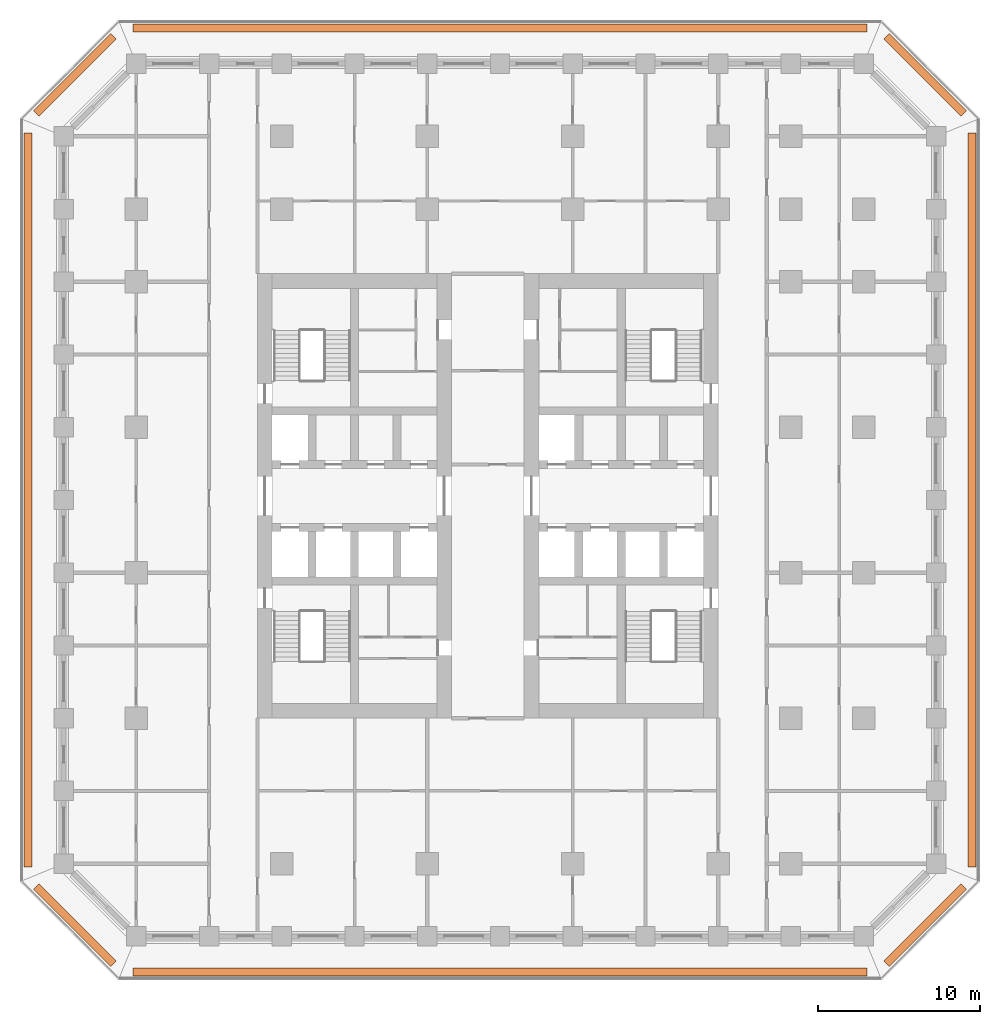
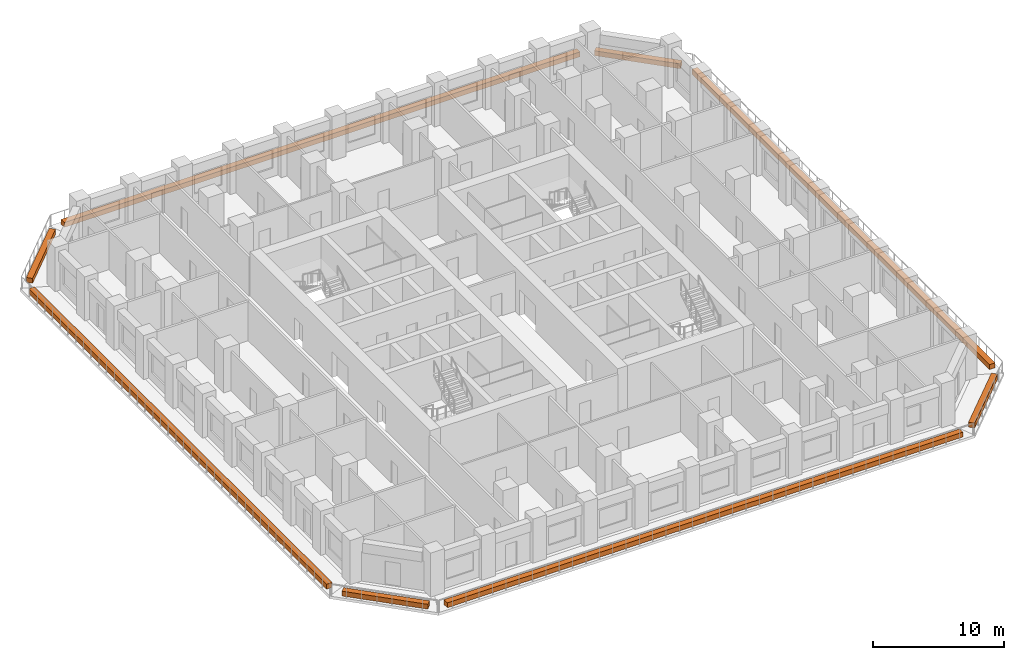
# One storey, part 18 of 18: 8 proxies.
"""IFC4 building model written with IfcOpenShell, lengths in metres."""

from ifc_helpers import new_model, si_unit, direction, frame, origin, origin_2d, place, context, subcontext, project, spatial, rectangle, extrude, material, type_object, element, save


model = new_model("IFC4")

# Units and contexts
model_context = context("Model", 3, precision=1e-05, world=origin(), true_north=direction((0.0, 1.0)))
body_context = subcontext(model_context, "Body", "Model", "MODEL_VIEW")
ifc_project = project(units=[si_unit("LENGTHUNIT", "METRE"), si_unit("AREAUNIT", "SQUARE_METRE"), si_unit("VOLUMEUNIT", "CUBIC_METRE"), si_unit("PLANEANGLEUNIT", "RADIAN"), si_unit("MASSUNIT", "GRAM", prefix="KILO")], contexts=[model_context])

# Site, building, storey
site_placement = place(None, origin())
site = spatial("IfcSite", under=ifc_project, at=site_placement, CompositionType="ELEMENT")
building_placement = place(site_placement, origin())
building = spatial("IfcBuilding", under=site, at=building_placement, Name="Corbel Stack Research Tower", CompositionType="ELEMENT")
storey_placement = place(building_placement, frame((0.0, 0.0, 102.5)))
storey = spatial("IfcBuildingStorey", under=building, at=storey_placement, Name="L23", CompositionType="ELEMENT", Elevation=102.5)

# Proxies
ifc_material = material(Name="Concrete C45/55", Category="concrete")
building_element_proxy_type = type_object("IfcBuildingElementProxyType", Name="Planter box", PredefinedType="USERDEFINED", material=ifc_material)
proxy_1_placement = place(storey_placement, frame((4.5, -24.699951171875, 0.0), z_axis=(0.0, 0.0, 1.0), x_axis=(1.0, 0.0, 0.0)))
element("IfcBuildingElementProxy", 1, at=proxy_1_placement, inside=storey, type_object=building_element_proxy_type, Name="Planter L23 S", ObjectType="PLANTER", PredefinedType="USERDEFINED", context=body_context, shape_type="SweptSolid", body=[
    extrude(rectangle(XDim=45.41064453125, YDim=0.5, at=origin_2d()), origin(), (0.0, 0.0, 1.0), 0.449951171875),
])
proxy_2_placement = place(storey_placement, frame((30.8056640625, -21.8056640625, 0.0), z_axis=(0.0, 0.0, 1.0), x_axis=(0.707106781187, 0.707106781187, 0.0)))
element("IfcBuildingElementProxy", 2, at=proxy_2_placement, inside=storey, type_object=building_element_proxy_type, Name="Planter L23 SE", ObjectType="PLANTER", PredefinedType="USERDEFINED", context=body_context, shape_type="SweptSolid", body=[
    extrude(rectangle(XDim=6.774658203125, YDim=0.5, at=origin_2d()), origin(), (0.0, 0.0, 1.0), 0.449951171875),
])
proxy_3_placement = place(storey_placement, frame((33.699951171875, 4.5, 0.0), z_axis=(0.0, 0.0, 1.0), x_axis=(0.0, 1.0, 0.0)))
element("IfcBuildingElementProxy", 3, at=proxy_3_placement, inside=storey, type_object=building_element_proxy_type, Name="Planter L23 E", ObjectType="PLANTER", PredefinedType="USERDEFINED", context=body_context, shape_type="SweptSolid", body=[
    extrude(rectangle(XDim=45.41064453125, YDim=0.5, at=origin_2d()), origin(), (0.0, 0.0, 1.0), 0.449951171875),
])
proxy_4_placement = place(storey_placement, frame((30.8056640625, 30.8056640625, 0.0), z_axis=(0.0, 0.0, 1.0), x_axis=(-0.707106781187, 0.707106781187, 0.0)))
element("IfcBuildingElementProxy", 4, at=proxy_4_placement, inside=storey, type_object=building_element_proxy_type, Name="Planter L23 NE", ObjectType="PLANTER", PredefinedType="USERDEFINED", context=body_context, shape_type="SweptSolid", body=[
    extrude(rectangle(XDim=6.774658203125, YDim=0.5, at=origin_2d()), origin(), (0.0, 0.0, 1.0), 0.449951171875),
])
proxy_5_placement = place(storey_placement, frame((4.5, 33.699951171875, 0.0), z_axis=(0.0, 0.0, 1.0), x_axis=(-1.0, 0.0, 0.0)))
element("IfcBuildingElementProxy", 5, at=proxy_5_placement, inside=storey, type_object=building_element_proxy_type, Name="Planter L23 N", ObjectType="PLANTER", PredefinedType="USERDEFINED", context=body_context, shape_type="SweptSolid", body=[
    extrude(rectangle(XDim=45.41064453125, YDim=0.5, at=origin_2d()), origin(), (0.0, 0.0, 1.0), 0.449951171875),
])
proxy_6_placement = place(storey_placement, frame((-21.8056640625, 30.8056640625, 0.0), z_axis=(0.0, 0.0, 1.0), x_axis=(-0.707106781187, -0.707106781187, 0.0)))
element("IfcBuildingElementProxy", 6, at=proxy_6_placement, inside=storey, type_object=building_element_proxy_type, Name="Planter L23 NW", ObjectType="PLANTER", PredefinedType="USERDEFINED", context=body_context, shape_type="SweptSolid", body=[
    extrude(rectangle(XDim=6.774658203125, YDim=0.5, at=origin_2d()), origin(), (0.0, 0.0, 1.0), 0.449951171875),
])
proxy_7_placement = place(storey_placement, frame((-24.699951171875, 4.5, 0.0), z_axis=(0.0, 0.0, 1.0), x_axis=(0.0, -1.0, 0.0)))
element("IfcBuildingElementProxy", 7, at=proxy_7_placement, inside=storey, type_object=building_element_proxy_type, Name="Planter L23 W", ObjectType="PLANTER", PredefinedType="USERDEFINED", context=body_context, shape_type="SweptSolid", body=[
    extrude(rectangle(XDim=45.41064453125, YDim=0.5, at=origin_2d()), origin(), (0.0, 0.0, 1.0), 0.449951171875),
])
proxy_8_placement = place(storey_placement, frame((-21.8056640625, -21.8056640625, 0.0), z_axis=(0.0, 0.0, 1.0), x_axis=(0.707106781187, -0.707106781187, 0.0)))
element("IfcBuildingElementProxy", 8, at=proxy_8_placement, inside=storey, type_object=building_element_proxy_type, Name="Planter L23 SW", ObjectType="PLANTER", PredefinedType="USERDEFINED", context=body_context, shape_type="SweptSolid", body=[
    extrude(rectangle(XDim=6.774658203125, YDim=0.5, at=origin_2d()), origin(), (0.0, 0.0, 1.0), 0.449951171875),
])

save(model, "model.ifc")
